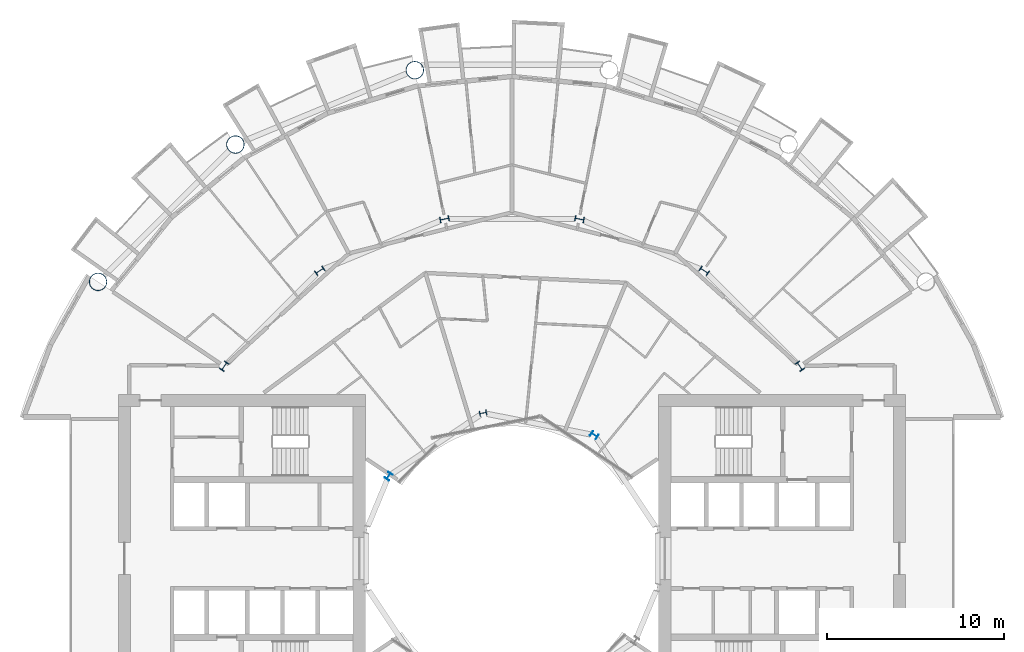
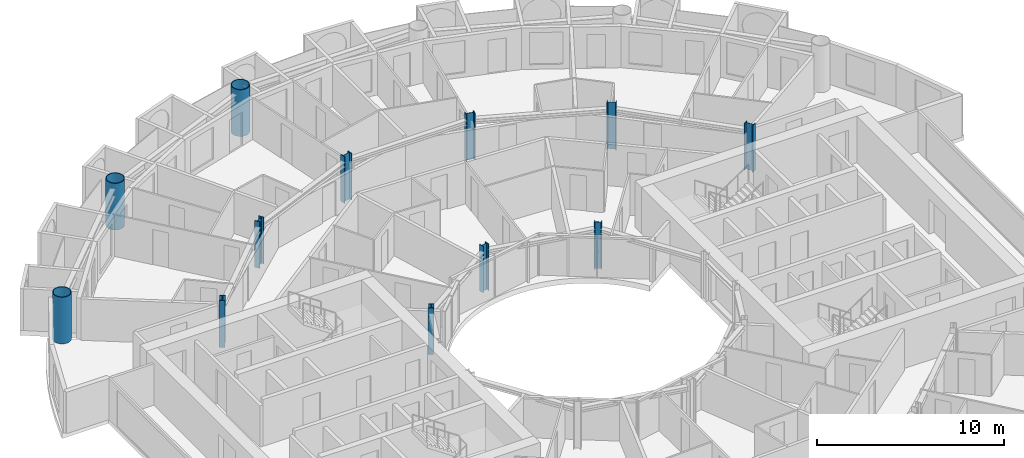
# One storey, part 3 of 26: 12 columns.
"""IFC4 building model written with IfcOpenShell, lengths in metres."""

from ifc_helpers import new_model, si_unit, direction, frame, origin, origin_2d, place, context, subcontext, project, spatial, hollow_circle, i_section, extrude, material, material_profile, profile_set, type_object, element, save


model = new_model("IFC4")

# Units and contexts
model_context = context("Model", 3, precision=1e-05, world=origin(), true_north=direction((0.0, 1.0)))
body_context = subcontext(model_context, "Body", "Model", "MODEL_VIEW")
ifc_project = project(units=[si_unit("LENGTHUNIT", "METRE"), si_unit("AREAUNIT", "SQUARE_METRE"), si_unit("VOLUMEUNIT", "CUBIC_METRE"), si_unit("PLANEANGLEUNIT", "RADIAN"), si_unit("MASSUNIT", "GRAM", prefix="KILO")], contexts=[model_context])

# Site, building, storey
site_placement = place(None, origin())
site = spatial("IfcSite", under=ifc_project, at=site_placement, CompositionType="ELEMENT")
building_placement = place(site_placement, origin())
building = spatial("IfcBuilding", under=site, at=building_placement, Name="Maasbend Ring Residences", CompositionType="ELEMENT")
storey_placement = place(building_placement, frame((0.0, 0.0, 81.89990234375)))
storey = spatial("IfcBuildingStorey", under=building, at=storey_placement, Name="L23", CompositionType="ELEMENT", Elevation=81.89990234375)

# Columns
ifc_material_1 = material(Name="Composite concrete-filled steel tube S460NH / C80/95", Category="concrete")
ifc_material_profile_1 = material_profile(ifc_material_1, hollow_circle(Radius=0.508056640625, WallThickness=0.0400390625, at=origin_2d()), Name="Composite tube column CHS 1016x40")
ifc_profile_set_1 = profile_set([ifc_material_profile_1], Name="Composite concrete-filled steel tube S460NH / C80/95")
column_type_1 = type_object("IfcColumnType", Name="Composite tube column CHS 1016x40", PredefinedType="COLUMN", material=ifc_profile_set_1)
for number, where, z_axis, x_axis, name in (
    (1, (-5.50146484375, 27.658203125, 0.0), (0.0, 0.0, 1.0), (1.0, 0.0, 0.0), "Outer column R5"),
    (2, (-15.6669921875, 23.447509765625, 0.0), (0.0, 0.0, 1.0), (1.0, 0.0, 0.0), "Outer column R6"),
    (3, (-23.447509765625, 15.6669921875, 0.0), (0.0, 0.0, 1.0), (1.0, 0.0, 0.0), "Outer column R7"),
):
    element("IfcColumn", number, at=place(storey_placement, frame(where, z_axis=z_axis, x_axis=x_axis)), inside=storey, type_object=column_type_1, Name=name, PredefinedType="COLUMN", context=body_context, shape_type="SweptSolid", body=[
        extrude(hollow_circle(Radius=0.508056640625, WallThickness=0.0400390625, at=origin_2d()), origin(), (0.0, 0.0, 1.0), 3.050048828125),
    ])
ifc_material_2 = material(Name="Steel S355J2", Category="steel")
ifc_material_profile_2 = material_profile(ifc_material_2, i_section(OverallWidth=0.300048828125, OverallDepth=0.39990234375, WebThickness=0.013427734375, FlangeThickness=0.02392578125, FilletRadius=0.027099609375, at=origin_2d()), Name="HEB 400")
ifc_profile_set_2 = profile_set([ifc_material_profile_2], Name="Steel S355J2")
column_type_2 = type_object("IfcColumnType", Name="Steel column HEB 400", PredefinedType="COLUMN", material=ifc_profile_set_2)
for number, where, z_axis, x_axis, name in (
    (4, (4.666748046875, 6.984375, 0.0), (0.0, 0.0, 1.0), (0.55557023302, 0.831469612303, 0.0), "Well ring column R3"),
    (5, (-1.638916015625, 8.238525390625, 0.0), (0.0, 0.0, 1.0), (-0.195090322016, 0.980785280403, 0.0), "Well ring column R5"),
    (6, (-6.984375, 4.666748046875, 0.0), (0.0, 0.0, 1.0), (-0.831469612303, 0.55557023302, 0.0), "Well ring column R7"),
):
    element("IfcColumn", number, at=place(storey_placement, frame(where, z_axis=z_axis, x_axis=x_axis)), inside=storey, type_object=column_type_2, Name=name, PredefinedType="COLUMN", context=body_context, shape_type="SweptSolid", body=[
        extrude(i_section(OverallWidth=0.300048828125, OverallDepth=0.39990234375, WebThickness=0.013427734375, FlangeThickness=0.02392578125, FilletRadius=0.027099609375, at=origin_2d()), origin(), (0.0, 0.0, 1.0), 3.050048828125),
    ])
ifc_material_3 = material(Name="Steel S460M", Category="steel")
ifc_material_profile_3 = material_profile(ifc_material_3, i_section(OverallWidth=0.305908203125, OverallDepth=0.52392578125, WebThickness=0.02099609375, FlangeThickness=0.0400390625, FilletRadius=0.027099609375, at=origin_2d()), Name="HEM 500")
ifc_profile_set_3 = profile_set([ifc_material_profile_3], Name="Steel S460M")
column_type_3 = type_object("IfcColumnType", Name="Steel column HEM 500", PredefinedType="COLUMN", material=ifc_profile_set_3)
for number, where, z_axis, x_axis, name in (
    (7, (16.296875, 10.88916015625, 0.0), (0.0, 0.0, 1.0), (0.831469612303, 0.55557023302, 0.0), "Corridor ring column R2"),
    (8, (10.88916015625, 16.296875, 0.0), (0.0, 0.0, 1.0), (0.55557023302, 0.831469612303, 0.0), "Corridor ring column R3"),
    (9, (3.82373046875, 19.223388671875, 0.0), (0.0, 0.0, 1.0), (0.195090322016, 0.980785280403, 0.0), "Corridor ring column R4"),
    (10, (-3.82373046875, 19.223388671875, 0.0), (0.0, 0.0, 1.0), (-0.195090322016, 0.980785280403, 0.0), "Corridor ring column R5"),
    (11, (-10.88916015625, 16.296875, 0.0), (0.0, 0.0, 1.0), (-0.55557023302, 0.831469612303, 0.0), "Corridor ring column R6"),
    (12, (-16.296875, 10.88916015625, 0.0), (0.0, 0.0, 1.0), (-0.831469612303, 0.55557023302, 0.0), "Corridor ring column R7"),
):
    element("IfcColumn", number, at=place(storey_placement, frame(where, z_axis=z_axis, x_axis=x_axis)), inside=storey, type_object=column_type_3, Name=name, PredefinedType="COLUMN", context=body_context, shape_type="SweptSolid", body=[
        extrude(i_section(OverallWidth=0.305908203125, OverallDepth=0.52392578125, WebThickness=0.02099609375, FlangeThickness=0.0400390625, FilletRadius=0.027099609375, at=origin_2d()), origin(), (0.0, 0.0, 1.0), 3.050048828125),
    ])

save(model, "model.ifc")
